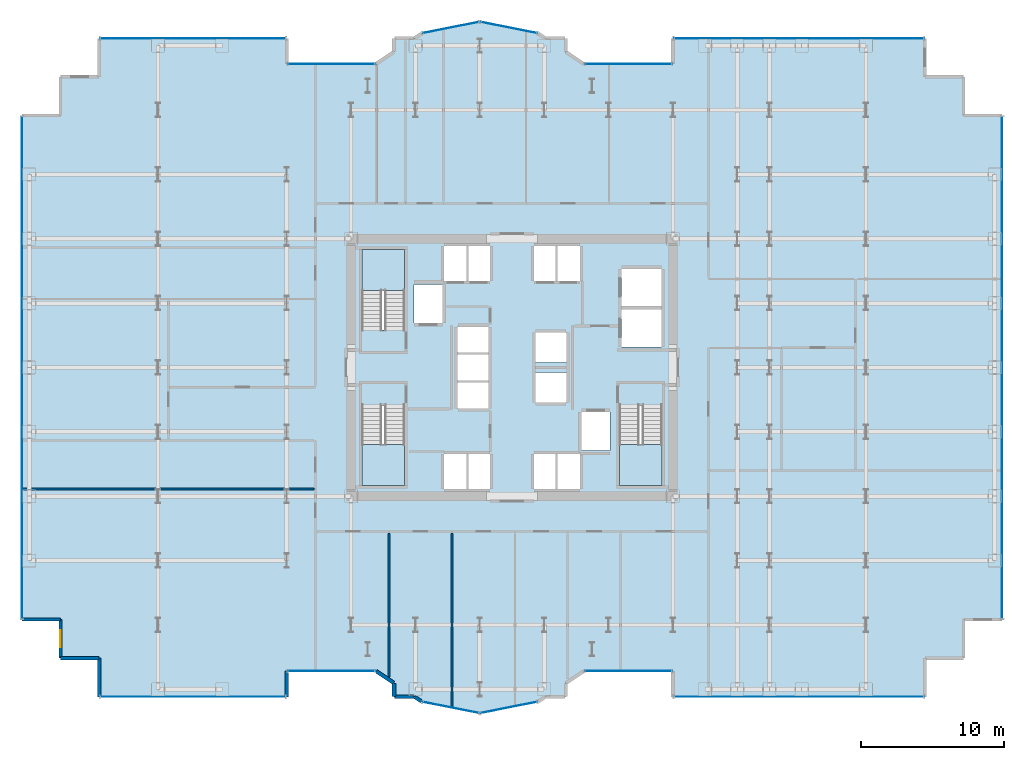
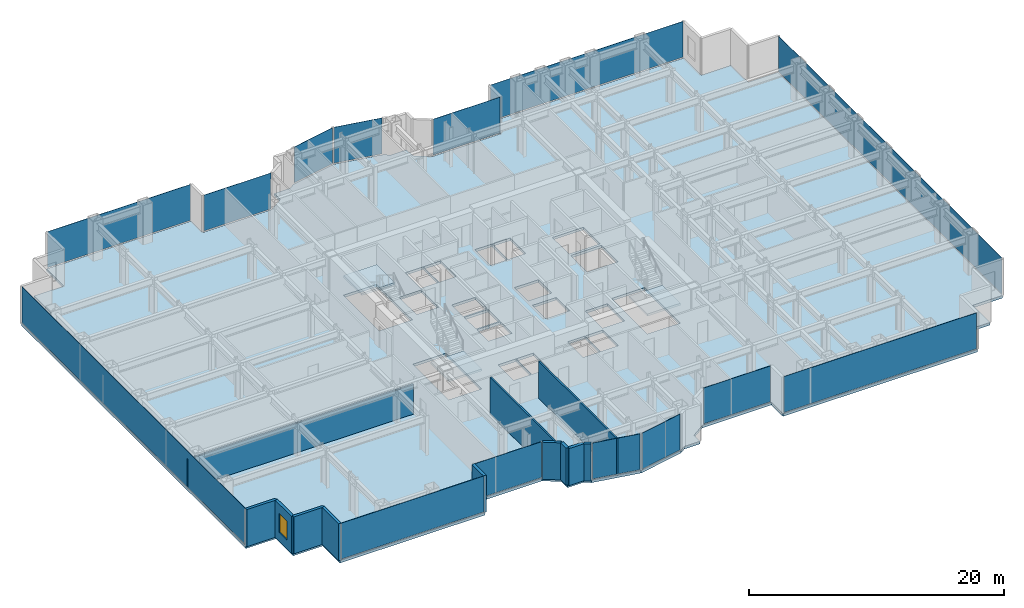
# One storey, part 19 of 25: 14 plates, 12 walls, 4 slabs, 1 window, 1 opening, 17 elements without a shape of their own.
"""IFC4 building model written with IfcOpenShell, lengths in metres."""

import ifcopenshell
import ifcopenshell.guid

model = None  # the IFC model being written
_history = None  # IfcOwnerHistory: only IFC2X3 demands one
_inside = {}  # id of a spatial element -> (the spatial element, [elements in it])
_under = {}  # id of a project, library or spatial element -> (it, [spatial elements below it])
_declared = {}  # id of a project -> (the project, [libraries it declares])
_typed = {}  # id of a type object -> (the type object, [elements of that type])
_made_of = {}  # id of a material, layer set ... -> (it, [elements and type objects made of it])


def new_model(schema):
    """Start an empty IFC model of exactly this schema.

    Asked for "IFC4X3", IfcOpenShell would pick the latest addendum, in which some entities
    have other attributes; the version numbers below select the first issue.
    IFC2X3 requires an IfcOwnerHistory on every rooted entity: one is made here for all.
    """
    global model, _history
    if schema == "IFC4X3":
        model = ifcopenshell.file(schema_version=(4, 3, 0, 0))
    else:
        model = ifcopenshell.file(schema=schema)
    _inside.clear()
    _under.clear()
    _declared.clear()
    _typed.clear()
    _made_of.clear()
    _history = None
    if model.schema == "IFC2X3":
        org = make("IfcOrganization", Name="unknown")
        user = make(
            "IfcPersonAndOrganization",
            ThePerson=make("IfcPerson", FamilyName="unknown"),
            TheOrganization=org,
        )
        app = make(
            "IfcApplication",
            ApplicationDeveloper=org,
            Version="unknown",
            ApplicationFullName="unknown",
            ApplicationIdentifier="unknown",
        )
        _history = make(
            "IfcOwnerHistory",
            OwningUser=user,
            OwningApplication=app,
            ChangeAction="ADDED",
            CreationDate=0,
        )
    return model


def make(cls, **values):
    """One entity of the class cls with the attributes given. An attribute that is None is left unset."""
    return model.create_entity(
        cls, **{name: value for name, value in values.items() if value is not None}
    )


def rooted(cls, **values):
    """An entity with a GlobalId (a new one), such as an element, a storey or a relation."""
    return make(cls, GlobalId=ifcopenshell.guid.new(), OwnerHistory=_history, **values)


def si_unit(unit_type, name, prefix=None):
    """IfcSIUnit, for example si_unit("LENGTHUNIT", "METRE", prefix="MILLI")."""
    return make("IfcSIUnit", UnitType=unit_type, Prefix=prefix, Name=name)


def assignment(units):
    """IfcUnitAssignment: the units of a project."""
    return None if units is None else make("IfcUnitAssignment", Units=units)


def point(xyz):
    """IfcCartesianPoint."""
    return None if xyz is None else make("IfcCartesianPoint", Coordinates=xyz)


def direction(xyz):
    """IfcDirection."""
    return None if xyz is None else make("IfcDirection", DirectionRatios=xyz)


def frame(location, z_axis=None, x_axis=None):
    """IfcAxis2Placement3D, a coordinate frame: its origin and axes. An axis left out is left unset."""
    return make(
        "IfcAxis2Placement3D",
        Location=point(location),
        Axis=direction(z_axis),
        RefDirection=direction(x_axis),
    )


def frame_2d(location, x_axis=None):
    """IfcAxis2Placement2D, a coordinate frame in the plane: its origin and x axis."""
    return make(
        "IfcAxis2Placement2D", Location=point(location), RefDirection=direction(x_axis)
    )


def origin():
    """The frame at (0, 0, 0) with its axes left unset."""
    return frame((0.0, 0.0, 0.0))


def origin_2d():
    """The frame at (0, 0) in the plane with its x axis left unset."""
    return frame_2d((0.0, 0.0))


def place(relative_to, where):
    """IfcLocalPlacement: puts the frame where relative to a parent placement (None: the world)."""
    return make(
        "IfcLocalPlacement", PlacementRelTo=relative_to, RelativePlacement=where
    )


def context(
    kind, dimensions, precision=None, world=None, true_north=None, identifier=None
):
    """IfcGeometricRepresentationContext, for example the 3D "Model" context."""
    return make(
        "IfcGeometricRepresentationContext",
        ContextIdentifier=identifier,
        ContextType=kind,
        CoordinateSpaceDimension=dimensions,
        Precision=precision,
        WorldCoordinateSystem=world,
        TrueNorth=true_north,
    )


def subcontext(parent, identifier, kind, view, scale=None):
    """IfcGeometricRepresentationSubContext, for example "Body" below "Model"."""
    return make(
        "IfcGeometricRepresentationSubContext",
        ContextIdentifier=identifier,
        ContextType=kind,
        ParentContext=parent,
        TargetScale=scale,
        TargetView=view,
    )


def project(units=None, contexts=None):
    """IfcProject with its units and contexts."""
    return rooted(
        "IfcProject",
        Name="project",
        RepresentationContexts=contexts,
        UnitsInContext=assignment(units),
    )


def spatial(cls, under=None, at=None, **own):
    """A site, building, storey or space (cls), placed at a placement, below another one or the project."""
    s = rooted(cls, ObjectPlacement=at, **own)
    if under is not None:
        _under.setdefault(under.id(), (under, []))[1].append(s)
    return s


def polyline(points):
    """IfcPolyline through the points."""
    return make("IfcPolyline", Points=[point(p) for p in points])


def profile(cls, at=None, kind="AREA", **sizes):
    """A parametric profile (cls). Its sizes go by their IFC names, for example OverallWidth=200.0."""
    return make(cls, ProfileType=kind, Position=at, **sizes)


def rectangle(**sizes):
    """IfcRectangleProfileDef."""
    return profile("IfcRectangleProfileDef", **sizes)


def outline(outer, holes=None, kind="AREA"):
    """IfcArbitraryClosedProfileDef: a profile drawn as a closed curve; with holes, ...WithVoids."""
    if holes is None:
        return make("IfcArbitraryClosedProfileDef", ProfileType=kind, OuterCurve=outer)
    return make(
        "IfcArbitraryProfileDefWithVoids",
        ProfileType=kind,
        OuterCurve=outer,
        InnerCurves=holes,
    )


def extrude(swept, where, along, depth):
    """IfcExtrudedAreaSolid: the profile swept, set in the frame where, extruded along a direction by depth."""
    return make(
        "IfcExtrudedAreaSolid",
        SweptArea=swept,
        Position=where,
        ExtrudedDirection=direction(along),
        Depth=depth,
    )


def shape(context_of_items, identifier, shape_type, items):
    """IfcShapeRepresentation: the items that make up one representation, for example the "Body"."""
    return make(
        "IfcShapeRepresentation",
        ContextOfItems=context_of_items,
        RepresentationIdentifier=identifier,
        RepresentationType=shape_type,
        Items=items,
    )


def source(mapping_origin, context_of_items, identifier, shape_type, items):
    """IfcRepresentationMap: a shape defined once, which mapped items show again and again."""
    return make(
        "IfcRepresentationMap",
        MappingOrigin=mapping_origin,
        MappedRepresentation=shape(context_of_items, identifier, shape_type, items),
    )


def transform(
    local_origin,
    x_axis=None,
    y_axis=None,
    z_axis=None,
    scale=None,
    scale2=None,
    scale3=None,
    uniform=True,
):
    """IfcCartesianTransformationOperator3D, or its non-uniform kind. x_axis, y_axis, z_axis: its Axis1, 2, 3."""
    if uniform:
        return make(
            "IfcCartesianTransformationOperator3D",
            Axis1=direction(x_axis),
            Axis2=direction(y_axis),
            LocalOrigin=point(local_origin),
            Scale=scale,
            Axis3=direction(z_axis),
        )
    return make(
        "IfcCartesianTransformationOperator3DnonUniform",
        Axis1=direction(x_axis),
        Axis2=direction(y_axis),
        LocalOrigin=point(local_origin),
        Scale=scale,
        Axis3=direction(z_axis),
        Scale2=scale2,
        Scale3=scale3,
    )


def mapped(mapping_source, mapping_target):
    """IfcMappedItem: shows the shape of a source again, moved by a transform."""
    return make(
        "IfcMappedItem", MappingSource=mapping_source, MappingTarget=mapping_target
    )


def material(Name=None, Category=None):
    """IfcMaterial."""
    return make("IfcMaterial", Name=Name, Category=Category)


def layer(
    of_material, thickness, ventilated=None, Name=None, Category=None, Priority=None
):
    """IfcMaterialLayer: one layer of a wall or slab, of a material (None: an air gap)."""
    return make(
        "IfcMaterialLayer",
        Material=of_material,
        LayerThickness=thickness,
        IsVentilated=ventilated,
        Name=Name,
        Category=Category,
        Priority=Priority,
    )


def layer_set(layers, Name=None):
    """IfcMaterialLayerSet."""
    return make("IfcMaterialLayerSet", MaterialLayers=layers, LayerSetName=Name)


def made_of(thing, what):
    """Note that an element or type object is made of a material, layer set ...; save() writes the relation."""
    if what is not None:
        _made_of.setdefault(what.id(), (what, []))[1].append(thing)
    return thing


def type_object(cls, material=None, **own):
    """A type object (cls), such as IfcWallType, which elements share."""
    return made_of(rooted(cls, **own), material)


def element(
    cls,
    number,
    at=None,
    inside=None,
    cuts=None,
    type_object=None,
    material=None,
    context=None,
    identifier="Body",
    shape_type=None,
    held_by="IfcProductDefinitionShape",
    body=None,
    shapes=None,
    **own,
):
    """One element of the class cls, such as IfcWall. Its Tag is "e" and its number.

    at: its placement. inside: the storey or other place that contains it. cuts: it is an
    opening in that element (IfcRelVoidsElement). A single representation is given by context,
    identifier, shape_type and body (its items); several are given by shapes. held_by: the class
    of the entity that holds the representations. save() writes the other relations.
    """
    e = rooted(cls, Tag="e%d" % number, ObjectPlacement=at, **own)
    if body is not None:
        shapes = [shape(context, identifier, shape_type, body)]
    if shapes is not None:
        e.Representation = make(held_by, Representations=shapes)
    if inside is not None:
        _inside.setdefault(inside.id(), (inside, []))[1].append(e)
    if cuts is not None:
        rooted(
            "IfcRelVoidsElement", RelatingBuildingElement=cuts, RelatedOpeningElement=e
        )
    if type_object is not None:
        _typed.setdefault(type_object.id(), (type_object, []))[1].append(e)
    return made_of(e, material)


def fill(opening, filler):
    """IfcRelFillsElement: the door or window that sits in an opening."""
    return rooted(
        "IfcRelFillsElement",
        RelatingOpeningElement=opening,
        RelatedBuildingElement=filler,
    )


def aggregate(whole, parts):
    """IfcRelAggregates: a whole, such as a stair, and the parts it consists of."""
    return rooted("IfcRelAggregates", RelatingObject=whole, RelatedObjects=parts)


def save(model, path):
    """Write the relations noted so far, then the file.

    IfcRelAggregates (storeys below a building ...), IfcRelContainedInSpatialStructure (elements
    in a storey), IfcRelDefinesByType, IfcRelAssociatesMaterial and IfcRelDeclares: one each for
    every whole, place, type object, material and project.
    """
    for whole, parts in _under.values():
        aggregate(whole, parts)
    for where, things in _inside.values():
        rooted(
            "IfcRelContainedInSpatialStructure",
            RelatedElements=things,
            RelatingStructure=where,
        )
    for kind, things in _typed.values():
        rooted("IfcRelDefinesByType", RelatedObjects=things, RelatingType=kind)
    for what, things in _made_of.values():
        rooted("IfcRelAssociatesMaterial", RelatedObjects=things, RelatingMaterial=what)
    for by, libraries in _declared.values():
        rooted("IfcRelDeclares", RelatingContext=by, RelatedDefinitions=libraries)
    model.write(path)


model = new_model("IFC4")

# Units and contexts
model_context = context("Model", 3, precision=1e-05, world=origin(), true_north=direction((0.0, 1.0)))
body_context = subcontext(model_context, "Body", "Model", "MODEL_VIEW")
ifc_project = project(units=[si_unit("LENGTHUNIT", "METRE"), si_unit("AREAUNIT", "SQUARE_METRE"), si_unit("VOLUMEUNIT", "CUBIC_METRE"), si_unit("PLANEANGLEUNIT", "RADIAN"), si_unit("MASSUNIT", "GRAM", prefix="KILO")], contexts=[model_context])

# Site, building, storey
site_placement = place(None, origin())
site = spatial("IfcSite", under=ifc_project, at=site_placement, CompositionType="ELEMENT")
building_placement = place(site_placement, origin())
building = spatial("IfcBuilding", under=site, at=building_placement, Name="Nefas-Gora Pilgrimage Tower", CompositionType="ELEMENT")
storey_placement = place(building_placement, frame((0.0, 0.0, 52.0)))
storey = spatial("IfcBuildingStorey", under=building, at=storey_placement, Name="L11", CompositionType="ELEMENT", Elevation=52.0)

# Slab
ifc_material_1 = material(Name="Concrete C40/50", Category="concrete")
ifc_layer_1 = layer(ifc_material_1, 0.25)
ifc_layer_set_1 = layer_set([ifc_layer_1], Name="Concrete C40/50")
slab_type_1 = type_object("IfcSlabType", Name="SLB-TWR-250", PredefinedType="FLOOR", material=ifc_layer_set_1)
slab_1_placement = place(storey_placement, frame((0.0, 0.0, -0.25)))
element("IfcSlab", 1, at=slab_1_placement, inside=storey, type_object=slab_type_1, Name="L11 Structural Floor Slab", PredefinedType="FLOOR", context=body_context, shape_type="SweptSolid", body=[
    extrude(outline(polyline([(5.01806640625, -21.219970703125), (11.25, -21.219970703125), (11.25, -23.02001953125), (28.8701171875, -23.02001953125), (28.8701171875, -20.320068359375), (31.570068359375, -20.320068359375), (31.570068359375, -17.6201171875), (34.27001953125, -17.6201171875), (34.27001953125, 17.6201171875), (31.570068359375, 17.6201171875), (31.570068359375, 20.320068359375), (28.8701171875, 20.320068359375), (28.8701171875, 23.02001953125), (11.25, 23.02001953125), (11.25, 21.219970703125), (5.01806640625, 21.219970703125), (3.75, 22.0673828125), (3.75, 23.02001953125), (2.32421875, 23.02001953125), (1.807373046875, 23.365234375), (-2.25, 24.17236328125), (-6.307373046875, 23.365234375), (-6.82421875, 23.02001953125), (-8.25, 23.02001953125), (-8.25, 22.0673828125), (-9.51806640625, 21.219970703125), (-15.75, 21.219970703125), (-15.75, 23.02001953125), (-28.8701171875, 23.02001953125), (-28.8701171875, 20.320068359375), (-31.570068359375, 20.320068359375), (-31.570068359375, 17.6201171875), (-34.27001953125, 17.6201171875), (-34.27001953125, -17.6201171875), (-31.570068359375, -17.6201171875), (-31.570068359375, -20.320068359375), (-28.8701171875, -20.320068359375), (-28.8701171875, -23.02001953125), (-15.75, -23.02001953125), (-15.75, -21.219970703125), (-9.51806640625, -21.219970703125), (-8.25, -22.0673828125), (-8.25, -23.02001953125), (-6.82421875, -23.02001953125), (-6.307373046875, -23.365234375), (-2.25, -24.17236328125), (1.807373046875, -23.365234375), (2.32421875, -23.02001953125), (3.75, -23.02001953125), (3.75, -22.0673828125), (5.01806640625, -21.219970703125)]), holes=[polyline([(-10.5, 2.639892578125), (-10.5, 8.25), (-7.5, 8.25), (-7.5, 2.639892578125), (-10.5, 2.639892578125)]), polyline([(10.5, -2.639892578125), (10.5, -8.25), (7.5, -8.25), (7.5, -2.639892578125), (10.5, -2.639892578125)]), polyline([(-7.5, -2.639892578125), (-7.5, -8.25), (-10.5, -8.25), (-10.5, -2.639892578125), (-7.5, -2.639892578125)]), polyline([(-6.85009765625, 5.800048828125), (-4.85009765625, 5.800048828125), (-4.85009765625, 3.10009765625), (-6.85009765625, 3.10009765625), (-6.85009765625, 5.800048828125)]), polyline([(4.85009765625, -3.10009765625), (6.85009765625, -3.10009765625), (6.85009765625, -5.800048828125), (4.85009765625, -5.800048828125), (4.85009765625, -3.10009765625)]), polyline([(7.64990234375, 4.050048828125), (10.449951171875, 4.050048828125), (10.449951171875, 1.449951171875), (7.64990234375, 1.449951171875), (7.64990234375, 4.050048828125)]), polyline([(7.64990234375, 6.89990234375), (10.449951171875, 6.89990234375), (10.449951171875, 4.300048828125), (7.64990234375, 4.300048828125), (7.64990234375, 6.89990234375)]), polyline([(-4.75, 8.5), (-3.14990234375, 8.5), (-3.14990234375, 6.050048828125), (-4.75, 6.050048828125), (-4.75, 8.5)]), polyline([(-3.10009765625, 8.5), (-1.550048828125, 8.5), (-1.550048828125, 6.050048828125), (-3.10009765625, 6.050048828125), (-3.10009765625, 8.5)]), polyline([(1.550048828125, 8.5), (3.10009765625, 8.5), (3.10009765625, 6.050048828125), (1.550048828125, 6.050048828125), (1.550048828125, 8.5)]), polyline([(3.14990234375, 8.5), (4.75, 8.5), (4.75, 6.050048828125), (3.14990234375, 6.050048828125), (3.14990234375, 8.5)]), polyline([(-4.75, -6.050048828125), (-3.14990234375, -6.050048828125), (-3.14990234375, -8.5), (-4.75, -8.5), (-4.75, -6.050048828125)]), polyline([(-3.10009765625, -6.050048828125), (-1.550048828125, -6.050048828125), (-1.550048828125, -8.5), (-3.10009765625, -8.5), (-3.10009765625, -6.050048828125)]), polyline([(1.550048828125, -6.050048828125), (3.10009765625, -6.050048828125), (3.10009765625, -8.5), (1.550048828125, -8.5), (1.550048828125, -6.050048828125)]), polyline([(3.14990234375, -6.050048828125), (4.75, -6.050048828125), (4.75, -8.5), (3.14990234375, -8.5), (3.14990234375, -6.050048828125)]), polyline([(-3.800048828125, -1.050048828125), (-1.64990234375, -1.050048828125), (-1.64990234375, -2.85009765625), (-3.800048828125, -2.85009765625), (-3.800048828125, -1.050048828125)]), polyline([(-3.800048828125, 0.89990234375), (-1.64990234375, 0.89990234375), (-1.64990234375, -0.89990234375), (-3.800048828125, -0.89990234375), (-3.800048828125, 0.89990234375)]), polyline([(-3.800048828125, 2.85009765625), (-1.64990234375, 2.85009765625), (-1.64990234375, 1.050048828125), (-3.800048828125, 1.050048828125), (-3.800048828125, 2.85009765625)]), polyline([(1.64990234375, -0.35009765625), (3.800048828125, -0.35009765625), (3.800048828125, -2.449951171875), (1.64990234375, -2.449951171875), (1.64990234375, -0.35009765625)]), polyline([(1.64990234375, 2.449951171875), (3.800048828125, 2.449951171875), (3.800048828125, 0.35009765625), (1.64990234375, 0.35009765625), (1.64990234375, 2.449951171875)])]), origin(), (0.0, 0.0, 1.0), 0.25),
])

# Stair, slab
ifc_material_2 = material(Name="Concrete C45/55", Category="concrete")
stair_type = type_object("IfcStairType", Name="STR-1400-R1727", PredefinedType="HALF_TURN_STAIR", material=ifc_material_2)
stair_1_placement = place(storey_placement, origin())
stair_1 = element("IfcStair", 2, at=stair_1_placement, inside=storey, type_object=stair_type, Name="L11 Pressurised Tower Exit Stair ST-01", PredefinedType="HALF_TURN_STAIR")
ifc_layer_2 = layer(ifc_material_1, 0.199951171875)
ifc_layer_set_2 = layer_set([ifc_layer_2], Name="Concrete C40/50")
slab_type_2 = type_object("IfcSlabType", Name="STR-LAND-200", PredefinedType="LANDING", material=ifc_layer_set_2)
slab_2_placement = place(storey_placement, frame((0.0, 0.0, 1.699951171875)))
slab_2 = element("IfcSlab", 3, at=slab_2_placement, type_object=slab_type_2, Name="ST-01 landing 1", PredefinedType="LANDING", context=body_context, shape_type="SweptSolid", body=[
    extrude(outline(polyline([(-7.5, 5.39990234375), (-7.5, 8.25), (-10.5, 8.25), (-10.5, 5.39990234375), (-7.5, 5.39990234375)])), origin(), (0.0, 0.0, 1.0), 0.199951171875),
])
aggregate(stair_1, [slab_2])

stair_2_placement = place(storey_placement, origin())
stair_2 = element("IfcStair", 4, at=stair_2_placement, inside=storey, type_object=stair_type, Name="L11 Pressurised Tower Exit Stair ST-02", PredefinedType="HALF_TURN_STAIR")
slab_3_placement = place(storey_placement, frame((0.0, 0.0, 1.699951171875)))
slab_3 = element("IfcSlab", 5, at=slab_3_placement, type_object=slab_type_2, Name="ST-02 landing 1", PredefinedType="LANDING", context=body_context, shape_type="SweptSolid", body=[
    extrude(outline(polyline([(7.5, -5.39990234375), (7.5, -8.25), (10.5, -8.25), (10.5, -5.39990234375), (7.5, -5.39990234375)])), origin(), (0.0, 0.0, 1.0), 0.199951171875),
])
aggregate(stair_2, [slab_3])

stair_3_placement = place(storey_placement, origin())
stair_3 = element("IfcStair", 6, at=stair_3_placement, inside=storey, type_object=stair_type, Name="L11 Pressurised Tower Exit Stair ST-03", PredefinedType="HALF_TURN_STAIR")
slab_4_placement = place(storey_placement, frame((0.0, 0.0, 1.699951171875)))
slab_4 = element("IfcSlab", 7, at=slab_4_placement, type_object=slab_type_2, Name="ST-03 landing 1", PredefinedType="LANDING", context=body_context, shape_type="SweptSolid", body=[
    extrude(outline(polyline([(-10.5, -5.39990234375), (-10.5, -8.25), (-7.5, -8.25), (-7.5, -5.39990234375), (-10.5, -5.39990234375)])), origin(), (0.0, 0.0, 1.0), 0.199951171875),
])
aggregate(stair_3, [slab_4])

# Curtain wall, plate
ifc_material_3 = material(Name="Dark ceramic-fritted solar-control aluminium-glass curtain wall", Category="aluminium")
ifc_layer_3 = layer(ifc_material_3, 0.219970703125)
ifc_layer_set_3 = layer_set([ifc_layer_3], Name="Dark ceramic-fritted solar-control aluminium-glass curtain wall")
curtain_wall_type_1 = type_object("IfcCurtainWallType", Name="CW-SYS-5", PredefinedType="NOTDEFINED", material=ifc_layer_set_3)
curtain_wall_1_placement = place(storey_placement, origin())
curtain_wall_1 = element("IfcCurtainWall", 8, at=curtain_wall_1_placement, inside=storey, type_object=curtain_wall_type_1, Name="L11 Unitised Curtain Wall CW5", PredefinedType="NOTDEFINED")
ifc_material_4 = material(Name="Dark ceramic-printed low-e insulated glass", Category="glass")
ifc_layer_4 = layer(ifc_material_4, 0.028076171875)
ifc_layer_set_4 = layer_set([ifc_layer_4], Name="Dark ceramic-printed low-e insulated glass")
plate_type_1 = type_object("IfcPlateType", Name="CWP-PNL-5", PredefinedType="CURTAIN_PANEL", material=ifc_layer_set_4)
shared_shape_1 = source(origin(), body_context, "Body", "SweptSolid", [
    extrude(rectangle(XDim=6.052001953125, YDim=0.028076171875, at=origin_2d()), origin(), (0.0, 0.0, 1.0), 3.43994140625),
])
plate_1_placement = place(storey_placement, frame((8.134033203125, -21.219970703125, 0.10009765625), z_axis=(0.0, 0.0, 1.0), x_axis=(1.0, 0.0, 0.0)))
plate_1 = element("IfcPlate", 9, at=plate_1_placement, type_object=plate_type_1, Name="CW5 Ceramic-Fritted Glazing Panel 1", PredefinedType="CURTAIN_PANEL", context=body_context, shape_type="MappedRepresentation", body=[
    mapped(shared_shape_1, transform((0.0, 0.0, 0.0), x_axis=(1.0, 0.0, 0.0), y_axis=(0.0, 1.0, 0.0), z_axis=(0.0, 0.0, 1.0), scale=1.0)),
])
aggregate(curtain_wall_1, [plate_1])

curtain_wall_2_placement = place(storey_placement, origin())
curtain_wall_2 = element("IfcCurtainWall", 10, at=curtain_wall_2_placement, inside=storey, type_object=curtain_wall_type_1, Name="L11 Unitised Curtain Wall CW5", PredefinedType="NOTDEFINED")
plate_2_placement = place(storey_placement, frame((8.134033203125, 21.219970703125, 0.10009765625), z_axis=(0.0, 0.0, 1.0), x_axis=(-1.0, 0.0, 0.0)))
plate_2 = element("IfcPlate", 11, at=plate_2_placement, type_object=plate_type_1, Name="CW5 Ceramic-Fritted Glazing Panel 1", PredefinedType="CURTAIN_PANEL", context=body_context, shape_type="MappedRepresentation", body=[
    mapped(shared_shape_1, transform((0.0, 0.0, 0.0), x_axis=(1.0, 0.0, 0.0), y_axis=(0.0, 1.0, 0.0), z_axis=(0.0, 0.0, 1.0), scale=1.0)),
])
aggregate(curtain_wall_2, [plate_2])

curtain_wall_3_placement = place(storey_placement, origin())
curtain_wall_3 = element("IfcCurtainWall", 12, at=curtain_wall_3_placement, inside=storey, type_object=curtain_wall_type_1, Name="L11 Unitised Curtain Wall CW5", PredefinedType="NOTDEFINED")
plate_3_placement = place(storey_placement, frame((-12.634033203125, 21.219970703125, 0.10009765625), z_axis=(0.0, 0.0, 1.0), x_axis=(-1.0, 0.0, 0.0)))
plate_3 = element("IfcPlate", 13, at=plate_3_placement, type_object=plate_type_1, Name="CW5 Ceramic-Fritted Glazing Panel 1", PredefinedType="CURTAIN_PANEL", context=body_context, shape_type="MappedRepresentation", body=[
    mapped(shared_shape_1, transform((0.0, 0.0, 0.0), x_axis=(1.0, 0.0, 0.0), y_axis=(0.0, 1.0, 0.0), z_axis=(0.0, 0.0, 1.0), scale=1.0)),
])
aggregate(curtain_wall_3, [plate_3])

curtain_wall_4_placement = place(storey_placement, origin())
curtain_wall_4 = element("IfcCurtainWall", 14, at=curtain_wall_4_placement, inside=storey, type_object=curtain_wall_type_1, Name="L11 Unitised Curtain Wall CW5", PredefinedType="NOTDEFINED")
plate_4_placement = place(storey_placement, frame((-12.634033203125, -21.219970703125, 0.10009765625), z_axis=(0.0, 0.0, 1.0), x_axis=(1.0, 0.0, 0.0)))
plate_4 = element("IfcPlate", 15, at=plate_4_placement, type_object=plate_type_1, Name="CW5 Ceramic-Fritted Glazing Panel 1", PredefinedType="CURTAIN_PANEL", context=body_context, shape_type="MappedRepresentation", body=[
    mapped(shared_shape_1, transform((0.0, 0.0, 0.0), x_axis=(1.0, 0.0, 0.0), y_axis=(0.0, 1.0, 0.0), z_axis=(0.0, 0.0, 1.0), scale=1.0)),
])
aggregate(curtain_wall_4, [plate_4])

ifc_layer_5 = layer(ifc_material_3, 0.219970703125)
ifc_layer_set_5 = layer_set([ifc_layer_5], Name="Dark ceramic-fritted solar-control aluminium-glass curtain wall")
curtain_wall_type_2 = type_object("IfcCurtainWallType", Name="CW-SYS-2", PredefinedType="NOTDEFINED", material=ifc_layer_set_5)
curtain_wall_5_placement = place(storey_placement, origin())
curtain_wall_5 = element("IfcCurtainWall", 16, at=curtain_wall_5_placement, inside=storey, type_object=curtain_wall_type_2, Name="L11 Unitised Curtain Wall CW2", PredefinedType="NOTDEFINED")
ifc_layer_6 = layer(ifc_material_4, 0.031982421875)
ifc_layer_set_6 = layer_set([ifc_layer_6], Name="Dark ceramic-printed low-e insulated glass")
plate_type_2 = type_object("IfcPlateType", Name="CWP-PNL-2", PredefinedType="CURTAIN_PANEL", material=ifc_layer_set_6)
shared_shape_2 = source(origin(), body_context, "Body", "SweptSolid", [
    extrude(rectangle(XDim=17.43994140625, YDim=0.031982421875, at=origin_2d()), origin(), (0.0, 0.0, 1.0), 3.43994140625),
])
plate_5_placement = place(storey_placement, frame((20.06005859375, -23.02001953125, 0.10009765625), z_axis=(0.0, 0.0, 1.0), x_axis=(1.0, 0.0, 0.0)))
plate_5 = element("IfcPlate", 17, at=plate_5_placement, type_object=plate_type_2, Name="CW2 Ceramic-Fritted Glazing Panel 1", PredefinedType="CURTAIN_PANEL", context=body_context, shape_type="MappedRepresentation", body=[
    mapped(shared_shape_2, transform((0.0, 0.0, 0.0), x_axis=(1.0, 0.0, 0.0), y_axis=(0.0, 1.0, 0.0), z_axis=(0.0, 0.0, 1.0), scale=1.0)),
])
aggregate(curtain_wall_5, [plate_5])

curtain_wall_6_placement = place(storey_placement, origin())
curtain_wall_6 = element("IfcCurtainWall", 18, at=curtain_wall_6_placement, inside=storey, type_object=curtain_wall_type_2, Name="L11 Unitised Curtain Wall CW2", PredefinedType="NOTDEFINED")
plate_6_placement = place(storey_placement, frame((20.06005859375, 23.02001953125, 0.10009765625), z_axis=(0.0, 0.0, 1.0), x_axis=(-1.0, 0.0, 0.0)))
plate_6 = element("IfcPlate", 19, at=plate_6_placement, type_object=plate_type_2, Name="CW2 Ceramic-Fritted Glazing Panel 1", PredefinedType="CURTAIN_PANEL", context=body_context, shape_type="MappedRepresentation", body=[
    mapped(shared_shape_2, transform((0.0, 0.0, 0.0), x_axis=(1.0, 0.0, 0.0), y_axis=(0.0, 1.0, 0.0), z_axis=(0.0, 0.0, 1.0), scale=1.0)),
])
aggregate(curtain_wall_6, [plate_6])

curtain_wall_7_placement = place(storey_placement, origin())
curtain_wall_7 = element("IfcCurtainWall", 20, at=curtain_wall_7_placement, inside=storey, type_object=curtain_wall_type_1, Name="L11 Unitised Curtain Wall CW5", PredefinedType="NOTDEFINED")
shared_shape_3 = source(origin(), body_context, "Body", "SweptSolid", [
    extrude(rectangle(XDim=3.956787109375, YDim=0.028076171875, at=origin_2d()), origin(), (0.0, 0.0, 1.0), 3.43994140625),
])
plate_7_placement = place(storey_placement, frame((-0.22119140625, 23.768798828125, 0.10009765625), z_axis=(0.0, 0.0, 1.0), x_axis=(-0.980782896852, 0.195102304554, 0.0)))
plate_7 = element("IfcPlate", 21, at=plate_7_placement, type_object=plate_type_1, Name="CW5 Ceramic-Fritted Glazing Panel 1", PredefinedType="CURTAIN_PANEL", context=body_context, shape_type="MappedRepresentation", body=[
    mapped(shared_shape_3, transform((0.0, 0.0, 0.0), x_axis=(1.0, 0.0, 0.0), y_axis=(0.0, 1.0, 0.0), z_axis=(0.0, 0.0, 1.0), scale=1.0)),
])
aggregate(curtain_wall_7, [plate_7])

curtain_wall_8_placement = place(storey_placement, origin())
curtain_wall_8 = element("IfcCurtainWall", 22, at=curtain_wall_8_placement, inside=storey, type_object=curtain_wall_type_1, Name="L11 Unitised Curtain Wall CW5", PredefinedType="NOTDEFINED")
plate_8_placement = place(storey_placement, frame((-4.278564453125, 23.768798828125, 0.10009765625), z_axis=(0.0, 0.0, 1.0), x_axis=(-0.980782896852, -0.195102304554, 0.0)))
plate_8 = element("IfcPlate", 23, at=plate_8_placement, type_object=plate_type_1, Name="CW5 Ceramic-Fritted Glazing Panel 1", PredefinedType="CURTAIN_PANEL", context=body_context, shape_type="MappedRepresentation", body=[
    mapped(shared_shape_3, transform((0.0, 0.0, 0.0), x_axis=(1.0, 0.0, 0.0), y_axis=(0.0, 1.0, 0.0), z_axis=(0.0, 0.0, 1.0), scale=1.0)),
])
aggregate(curtain_wall_8, [plate_8])

curtain_wall_9_placement = place(storey_placement, origin())
curtain_wall_9 = element("IfcCurtainWall", 24, at=curtain_wall_9_placement, inside=storey, type_object=curtain_wall_type_1, Name="L11 Unitised Curtain Wall CW5", PredefinedType="NOTDEFINED")
plate_9_placement = place(storey_placement, frame((-4.278564453125, -23.768798828125, 0.10009765625), z_axis=(0.0, 0.0, 1.0), x_axis=(0.980782896852, -0.195102304554, 0.0)))
plate_9 = element("IfcPlate", 25, at=plate_9_placement, type_object=plate_type_1, Name="CW5 Ceramic-Fritted Glazing Panel 1", PredefinedType="CURTAIN_PANEL", context=body_context, shape_type="MappedRepresentation", body=[
    mapped(shared_shape_3, transform((0.0, 0.0, 0.0), x_axis=(1.0, 0.0, 0.0), y_axis=(0.0, 1.0, 0.0), z_axis=(0.0, 0.0, 1.0), scale=1.0)),
])
aggregate(curtain_wall_9, [plate_9])

curtain_wall_10_placement = place(storey_placement, origin())
curtain_wall_10 = element("IfcCurtainWall", 26, at=curtain_wall_10_placement, inside=storey, type_object=curtain_wall_type_1, Name="L11 Unitised Curtain Wall CW5", PredefinedType="NOTDEFINED")
plate_10_placement = place(storey_placement, frame((-0.221435546875, -23.768798828125, 0.10009765625), z_axis=(0.0, 0.0, 1.0), x_axis=(0.980782896852, 0.195102304554, 0.0)))
plate_10 = element("IfcPlate", 27, at=plate_10_placement, type_object=plate_type_1, Name="CW5 Ceramic-Fritted Glazing Panel 1", PredefinedType="CURTAIN_PANEL", context=body_context, shape_type="MappedRepresentation", body=[
    mapped(shared_shape_3, transform((0.0, 0.0, 0.0), x_axis=(1.0, 0.0, 0.0), y_axis=(0.0, 1.0, 0.0), z_axis=(0.0, 0.0, 1.0), scale=1.0)),
])
aggregate(curtain_wall_10, [plate_10])

curtain_wall_11_placement = place(storey_placement, origin())
curtain_wall_11 = element("IfcCurtainWall", 28, at=curtain_wall_11_placement, inside=storey, type_object=curtain_wall_type_2, Name="L11 Unitised Curtain Wall CW2", PredefinedType="NOTDEFINED")
shared_shape_4 = source(origin(), body_context, "Body", "SweptSolid", [
    extrude(rectangle(XDim=12.93994140625, YDim=0.031982421875, at=origin_2d()), origin(), (0.0, 0.0, 1.0), 3.43994140625),
])
plate_11_placement = place(storey_placement, frame((-22.31005859375, 23.02001953125, 0.10009765625), z_axis=(0.0, 0.0, 1.0), x_axis=(-1.0, 0.0, 0.0)))
plate_11 = element("IfcPlate", 29, at=plate_11_placement, type_object=plate_type_2, Name="CW2 Ceramic-Fritted Glazing Panel 1", PredefinedType="CURTAIN_PANEL", context=body_context, shape_type="MappedRepresentation", body=[
    mapped(shared_shape_4, transform((0.0, 0.0, 0.0), x_axis=(1.0, 0.0, 0.0), y_axis=(0.0, 1.0, 0.0), z_axis=(0.0, 0.0, 1.0), scale=1.0)),
])
aggregate(curtain_wall_11, [plate_11])

curtain_wall_12_placement = place(storey_placement, origin())
curtain_wall_12 = element("IfcCurtainWall", 30, at=curtain_wall_12_placement, inside=storey, type_object=curtain_wall_type_2, Name="L11 Unitised Curtain Wall CW2", PredefinedType="NOTDEFINED")
plate_12_placement = place(storey_placement, frame((-22.31005859375, -23.02001953125, 0.10009765625), z_axis=(0.0, 0.0, 1.0), x_axis=(1.0, 0.0, 0.0)))
plate_12 = element("IfcPlate", 31, at=plate_12_placement, type_object=plate_type_2, Name="CW2 Ceramic-Fritted Glazing Panel 1", PredefinedType="CURTAIN_PANEL", context=body_context, shape_type="MappedRepresentation", body=[
    mapped(shared_shape_4, transform((0.0, 0.0, 0.0), x_axis=(1.0, 0.0, 0.0), y_axis=(0.0, 1.0, 0.0), z_axis=(0.0, 0.0, 1.0), scale=1.0)),
])
aggregate(curtain_wall_12, [plate_12])

curtain_wall_13_placement = place(storey_placement, origin())
curtain_wall_13 = element("IfcCurtainWall", 32, at=curtain_wall_13_placement, inside=storey, type_object=curtain_wall_type_2, Name="L11 Unitised Curtain Wall CW2", PredefinedType="NOTDEFINED")
shared_shape_5 = source(origin(), body_context, "Body", "SweptSolid", [
    extrude(rectangle(XDim=35.06005859375, YDim=0.031982421875, at=origin_2d()), origin(), (0.0, 0.0, 1.0), 3.43994140625),
])
plate_13_placement = place(storey_placement, frame((34.27001953125, 0.0, 0.10009765625), z_axis=(0.0, 0.0, 1.0), x_axis=(0.0, 1.0, 0.0)))
plate_13 = element("IfcPlate", 33, at=plate_13_placement, type_object=plate_type_2, Name="CW2 Ceramic-Fritted Glazing Panel 1", PredefinedType="CURTAIN_PANEL", context=body_context, shape_type="MappedRepresentation", body=[
    mapped(shared_shape_5, transform((0.0, 0.0, 0.0), x_axis=(1.0, 0.0, 0.0), y_axis=(0.0, 1.0, 0.0), z_axis=(0.0, 0.0, 1.0), scale=1.0)),
])
aggregate(curtain_wall_13, [plate_13])

curtain_wall_14_placement = place(storey_placement, origin())
curtain_wall_14 = element("IfcCurtainWall", 34, at=curtain_wall_14_placement, inside=storey, type_object=curtain_wall_type_2, Name="L11 Unitised Curtain Wall CW2", PredefinedType="NOTDEFINED")
plate_14_placement = place(storey_placement, frame((-34.27001953125, 0.0, 0.10009765625), z_axis=(0.0, 0.0, 1.0), x_axis=(0.0, -1.0, 0.0)))
plate_14 = element("IfcPlate", 35, at=plate_14_placement, type_object=plate_type_2, Name="CW2 Ceramic-Fritted Glazing Panel 1", PredefinedType="CURTAIN_PANEL", context=body_context, shape_type="MappedRepresentation", body=[
    mapped(shared_shape_5, transform((0.0, 0.0, 0.0), x_axis=(1.0, 0.0, 0.0), y_axis=(0.0, 1.0, 0.0), z_axis=(0.0, 0.0, 1.0), scale=1.0)),
])
aggregate(curtain_wall_14, [plate_14])

# Walls
ifc_material_5 = material(Name="Precast concrete C40/50", Category="concrete")
ifc_layer_7 = layer(ifc_material_5, 0.260009765625)
ifc_layer_set_7 = layer_set([ifc_layer_7], Name="Precast concrete C40/50")
wall_type_1 = type_object("IfcWallType", Name="EW-PORTAL-260", PredefinedType="SOLIDWALL", material=ifc_layer_set_7)
shared_shape_6 = source(origin(), body_context, "Body", "SweptSolid", [
    extrude(rectangle(XDim=1.800048828125, YDim=0.260009765625, at=frame_2d((0.89990234375, 0.0))), origin(), (0.0, 0.0, 1.0), 3.550048828125),
])
wall_1_placement = place(storey_placement, frame((-15.75, -23.02001953125, 0.0), z_axis=(0.0, 0.0, 1.0), x_axis=(0.0, 1.0, 0.0)))
element("IfcWall", 36, at=wall_1_placement, inside=storey, type_object=wall_type_1, Name="L11 Lobe Shoulder Precast Spandrel Pier 28", PredefinedType="SOLIDWALL", context=body_context, shape_type="MappedRepresentation", body=[
    mapped(shared_shape_6, transform((0.0, 0.0, 0.0), x_axis=(1.0, 0.0, 0.0), y_axis=(0.0, 1.0, 0.0), z_axis=(0.0, 0.0, 1.0), scale=1.0)),
])
ifc_material_6 = material(Name="Precast concrete C45/55", Category="concrete")
ifc_layer_8 = layer(ifc_material_6, 0.239990234375)
ifc_layer_set_8 = layer_set([ifc_layer_8], Name="Precast concrete C45/55")
wall_type_2 = type_object("IfcWallType", Name="EW-SERR-240", PredefinedType="SHEAR", material=ifc_layer_set_8)
shared_shape_7 = source(origin(), body_context, "Body", "SweptSolid", [
    extrude(rectangle(XDim=2.699951171875, YDim=0.239990234375, at=frame_2d((1.35009765625, 0.0))), origin(), (0.0, 0.0, 1.0), 3.550048828125),
])
wall_2_placement = place(storey_placement, frame((-34.27001953125, -17.6201171875, 0.0), z_axis=(0.0, 0.0, 1.0), x_axis=(1.0, 0.0, 0.0)))
element("IfcWall", 37, at=wall_2_placement, inside=storey, type_object=wall_type_2, Name="L11 Serrated Corner Shear Pier Wall 24", PredefinedType="SHEAR", context=body_context, shape_type="MappedRepresentation", body=[
    mapped(shared_shape_7, transform((0.0, 0.0, 0.0), x_axis=(1.0, 0.0, 0.0), y_axis=(0.0, 1.0, 0.0), z_axis=(0.0, 0.0, 1.0), scale=1.0)),
])

# Wall, opening, window
wall_3_placement = place(storey_placement, frame((-31.570068359375, -17.6201171875, 0.0), z_axis=(0.0, 0.0, 1.0), x_axis=(0.0, -1.0, 0.0)))
wall_3 = element("IfcWall", 38, at=wall_3_placement, inside=storey, type_object=wall_type_2, Name="L11 Serrated Corner Shear Pier Wall 25", PredefinedType="SHEAR", context=body_context, shape_type="MappedRepresentation", body=[
    mapped(shared_shape_7, transform((0.0, 0.0, 0.0), x_axis=(1.0, 0.0, 0.0), y_axis=(0.0, 1.0, 0.0), z_axis=(0.0, 0.0, 1.0), scale=1.0)),
])
opening_placement = place(wall_3_placement, frame((0.75, 0.0, 0.85009765625)))
opening = element("IfcOpeningElement", 39, at=opening_placement, cuts=wall_3, Name="Opening W-V1", PredefinedType="OPENING", context=body_context, shape_type="SweptSolid", body=[
    extrude(rectangle(XDim=1.199951171875, YDim=1.800048828125, at=frame_2d((0.60009765625, 0.89990234375))), frame((0.0, 0.1298828125, 0.0), z_axis=(0.0, -1.0, 0.0), x_axis=(1.0, 0.0, 0.0)), (0.0, 0.0, 1.0), 0.260009765625),
])
ifc_material_7 = material(Name="Dark ceramic-fritted operable aluminium-glass window", Category="aluminium")
window_type = type_object("IfcWindowType", Name="WIN-VENT-1200x1800", PartitioningType="SINGLE_PANEL", PredefinedType="WINDOW", material=ifc_material_7)
shared_shape_8 = source(origin(), body_context, "Body", "SweptSolid", [
    extrude(rectangle(XDim=1.199951171875, YDim=1.800048828125, at=frame_2d((0.60009765625, 0.89990234375))), frame((0.0, 0.030029296875, 0.0), z_axis=(0.0, -1.0, 0.0), x_axis=(1.0, 0.0, 0.0)), (0.0, 0.0, 1.0), 0.06005859375),
])
window_placement = place(opening_placement, origin())
window = element("IfcWindow", 40, at=window_placement, inside=storey, type_object=window_type, Name="L11 Operable Parallel-Outswing Window 25", OverallHeight=1.800048828125, OverallWidth=1.199951171875, PartitioningType="SINGLE_PANEL", PredefinedType="WINDOW", context=body_context, shape_type="MappedRepresentation", body=[
    mapped(shared_shape_8, transform((0.0, 0.0, 0.0), x_axis=(1.0, 0.0, 0.0), y_axis=(0.0, 1.0, 0.0), z_axis=(0.0, 0.0, 1.0), scale=1.0)),
])
fill(opening, window)

# Walls
for number, where, z_axis, x_axis, name in (
    (41, (-31.570068359375, -20.320068359375, 0.0), (0.0, 0.0, 1.0), (1.0, 0.0, 0.0), "L11 Serrated Corner Shear Pier Wall 26"),
    (42, (-28.8701171875, -20.320068359375, 0.0), (0.0, 0.0, 1.0), (0.0, -1.0, 0.0), "L11 Serrated Corner Shear Pier Wall 27"),
):
    element("IfcWall", number, at=place(storey_placement, frame(where, z_axis=z_axis, x_axis=x_axis)), inside=storey, type_object=wall_type_2, Name=name, PredefinedType="SHEAR", context=body_context, shape_type="MappedRepresentation", body=[
        mapped(shared_shape_7, transform((0.0, 0.0, 0.0), x_axis=(1.0, 0.0, 0.0), y_axis=(0.0, 1.0, 0.0), z_axis=(0.0, 0.0, 1.0), scale=1.0)),
    ])
shared_shape_9 = source(origin(), body_context, "Body", "SweptSolid", [
    extrude(rectangle(XDim=1.468994140625, YDim=0.260009765625, at=frame_2d((0.734375, 0.0))), origin(), (0.0, 0.0, 1.0), 3.550048828125),
])
wall_4_placement = place(storey_placement, frame((-9.49462890625, -21.235595703125, 0.0), z_axis=(0.0, 0.0, 1.0), x_axis=(0.831461760506, -0.555581983884, 0.0)))
element("IfcWall", 43, at=wall_4_placement, inside=storey, type_object=wall_type_1, Name="L11 Lobe Shoulder Precast Spandrel Pier 29", PredefinedType="SOLIDWALL", context=body_context, shape_type="MappedRepresentation", body=[
    mapped(shared_shape_9, transform((0.0, 0.0, 0.0), x_axis=(1.0, 0.0, 0.0), y_axis=(0.0, 1.0, 0.0), z_axis=(0.0, 0.0, 1.0), scale=1.0)),
])
shared_shape_10 = source(origin(), body_context, "Body", "SweptSolid", [
    extrude(rectangle(XDim=0.896728515625, YDim=0.260009765625, at=frame_2d((0.4482421875, 0.0))), origin(), (0.0, 0.0, 1.0), 3.550048828125),
])
wall_5_placement = place(storey_placement, frame((-8.25, -22.09521484375, 0.0), z_axis=(0.0, 0.0, 1.0), x_axis=(0.0, -1.0, 0.0)))
element("IfcWall", 44, at=wall_5_placement, inside=storey, type_object=wall_type_1, Name="L11 Lobe Shoulder Precast Spandrel Pier 30", PredefinedType="SOLIDWALL", context=body_context, shape_type="MappedRepresentation", body=[
    mapped(shared_shape_10, transform((0.0, 0.0, 0.0), x_axis=(1.0, 0.0, 0.0), y_axis=(0.0, 1.0, 0.0), z_axis=(0.0, 0.0, 1.0), scale=1.0)),
])
shared_shape_11 = source(origin(), body_context, "Body", "SweptSolid", [
    extrude(rectangle(XDim=1.369873046875, YDim=0.260009765625, at=frame_2d((0.68505859375, 0.0))), origin(), (0.0, 0.0, 1.0), 3.550048828125),
])
wall_6_placement = place(storey_placement, frame((-8.221923828125, -23.02001953125, 0.0), z_axis=(0.0, 0.0, 1.0), x_axis=(1.0, 0.0, 0.0)))
element("IfcWall", 45, at=wall_6_placement, inside=storey, type_object=wall_type_1, Name="L11 Lobe Shoulder Precast Spandrel Pier 31", PredefinedType="SOLIDWALL", context=body_context, shape_type="MappedRepresentation", body=[
    mapped(shared_shape_11, transform((0.0, 0.0, 0.0), x_axis=(1.0, 0.0, 0.0), y_axis=(0.0, 1.0, 0.0), z_axis=(0.0, 0.0, 1.0), scale=1.0)),
])
shared_shape_12 = source(origin(), body_context, "Body", "SweptSolid", [
    extrude(rectangle(XDim=0.5654296875, YDim=0.260009765625, at=frame_2d((0.28271484375, 0.0))), origin(), (0.0, 0.0, 1.0), 3.550048828125),
])
wall_7_placement = place(storey_placement, frame((-6.80078125, -23.03564453125, 0.0), z_axis=(0.0, 0.0, 1.0), x_axis=(0.831651492666, -0.555297933317, 0.0)))
element("IfcWall", 46, at=wall_7_placement, inside=storey, type_object=wall_type_1, Name="L11 Lobe Shoulder Precast Spandrel Pier 32", PredefinedType="SOLIDWALL", context=body_context, shape_type="MappedRepresentation", body=[
    mapped(shared_shape_12, transform((0.0, 0.0, 0.0), x_axis=(1.0, 0.0, 0.0), y_axis=(0.0, 1.0, 0.0), z_axis=(0.0, 0.0, 1.0), scale=1.0)),
])
ifc_material_8 = material(Name="Gypsum twin-stud partition")
ifc_layer_9 = layer(ifc_material_8, 0.139892578125)
ifc_layer_set_9 = layer_set([ifc_layer_9], Name="Gypsum twin-stud partition")
wall_type_3 = type_object("IfcWallType", Name="IW-UNIT-140", PredefinedType="PARTITIONING", material=ifc_layer_set_9)
shared_shape_13 = source(origin(), body_context, "Body", "SweptSolid", [
    extrude(rectangle(XDim=20.429931640625, YDim=0.139892578125, at=frame_2d((10.21484375, 0.0))), origin(), (0.0, 0.0, 1.0), 2.824951171875),
])
wall_8_placement = place(storey_placement, frame((-34.2900390625, -8.5048828125, 0.0), z_axis=(0.0, 0.0, 1.0), x_axis=(1.0, 0.0, 0.0)))
element("IfcWall", 47, at=wall_8_placement, inside=storey, type_object=wall_type_3, Name="L11 Pilgrim Tea and Beverage Pantry Partition Wall 24", PredefinedType="PARTITIONING", context=body_context, shape_type="MappedRepresentation", body=[
    mapped(shared_shape_13, transform((0.0, 0.0, 0.0), x_axis=(1.0, 0.0, 0.0), y_axis=(0.0, 1.0, 0.0), z_axis=(0.0, 0.0, 1.0), scale=1.0)),
])
shared_shape_14 = source(origin(), body_context, "Body", "SweptSolid", [
    extrude(rectangle(XDim=10.037841796875, YDim=0.139892578125, at=frame_2d((5.01904296875, 0.0))), origin(), (0.0, 0.0, 1.0), 3.534912109375),
])
wall_9_placement = place(storey_placement, frame((-8.60498046875, -21.6279296875, 0.0), z_axis=(0.0, 0.0, 1.0), x_axis=(0.0, 1.0, 0.0)))
element("IfcWall", 48, at=wall_9_placement, inside=storey, type_object=wall_type_3, Name="L11 Pilgrim Contemplative Lounge Partition Wall 53", PredefinedType="PARTITIONING", context=body_context, shape_type="MappedRepresentation", body=[
    mapped(shared_shape_14, transform((0.0, 0.0, 0.0), x_axis=(1.0, 0.0, 0.0), y_axis=(0.0, 1.0, 0.0), z_axis=(0.0, 0.0, 1.0), scale=1.0)),
])
shared_shape_15 = source(origin(), body_context, "Body", "SweptSolid", [
    extrude(rectangle(XDim=12.216796875, YDim=0.139892578125, at=frame_2d((6.1083984375, 0.0))), origin(), (0.0, 0.0, 1.0), 3.534912109375),
])
wall_10_placement = place(storey_placement, frame((-4.2099609375, -23.806884765625, 0.0), z_axis=(0.0, 0.0, 1.0), x_axis=(0.0, 1.0, 0.0)))
element("IfcWall", 49, at=wall_10_placement, inside=storey, type_object=wall_type_3, Name="L11 Pilgrim Contemplative Lounge Partition Wall 55", PredefinedType="PARTITIONING", context=body_context, shape_type="MappedRepresentation", body=[
    mapped(shared_shape_15, transform((0.0, 0.0, 0.0), x_axis=(1.0, 0.0, 0.0), y_axis=(0.0, 1.0, 0.0), z_axis=(0.0, 0.0, 1.0), scale=1.0)),
])

save(model, "model.ifc")
